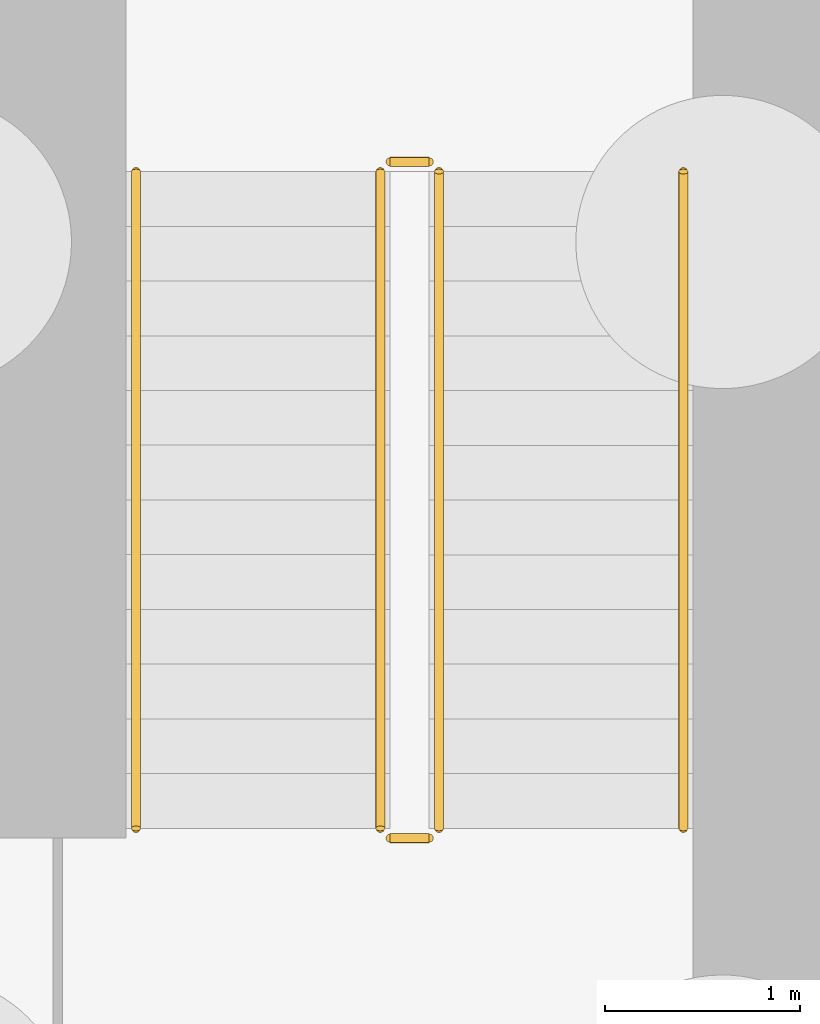
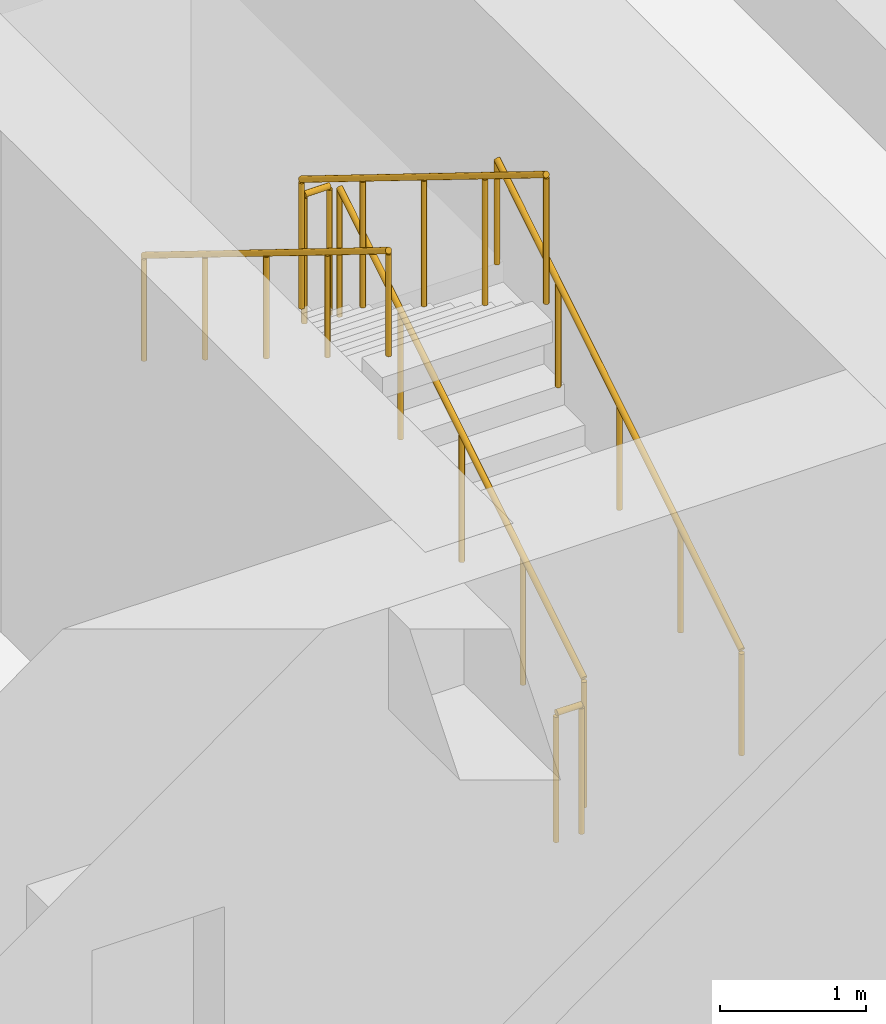
# One storey, part 9 of 10: 6 railings.
"""IFC4 building model written with IfcOpenShell, lengths in metres."""

from ifc_helpers import new_model, si_unit, direction, frame, origin, origin_2d, place, context, subcontext, project, spatial, circle, extrude, material, type_object, element, save


model = new_model("IFC4")

# Units and contexts
model_context = context("Model", 3, precision=1e-05, world=origin(), true_north=direction((0.0, 1.0)))
body_context = subcontext(model_context, "Body", "Model", "MODEL_VIEW")
ifc_project = project(units=[si_unit("LENGTHUNIT", "METRE"), si_unit("AREAUNIT", "SQUARE_METRE"), si_unit("VOLUMEUNIT", "CUBIC_METRE"), si_unit("PLANEANGLEUNIT", "RADIAN"), si_unit("MASSUNIT", "GRAM", prefix="KILO")], contexts=[model_context])

# Site, building, storey
site_placement = place(None, origin())
site = spatial("IfcSite", under=ifc_project, at=site_placement, CompositionType="ELEMENT")
building_placement = place(site_placement, origin())
building = spatial("IfcBuilding", under=site, at=building_placement, Name="Caelmar Bay Residences", CompositionType="ELEMENT")
storey_placement = place(building_placement, frame((0.0, 0.0, -9.0)))
storey = spatial("IfcBuildingStorey", under=building, at=storey_placement, Name="B02", CompositionType="ELEMENT", Elevation=-9.0)

# Railings
ifc_material_1 = material(Name="Painted galvanized steel stair guard 1100 mm", Category="steel")
railing_type_1 = type_object("IfcRailingType", Name="RL-GRD-1100", PredefinedType="GUARDRAIL", material=ifc_material_1)
railing_1_placement = place(storey_placement, frame((57.85009765625, 38.699951171875, 0.173095703125)))
element("IfcRailing", 1, at=railing_1_placement, inside=storey, type_object=railing_type_1, Name="B02 ST2 stair guard 1", PredefinedType="GUARDRAIL", context=body_context, shape_type="SweptSolid", body=[
    extrude(circle(Radius=0.02392578125, at=origin_2d()), frame((0.0, 0.0, 1.076171875), z_axis=(0.0, 0.850623216509, 0.525775754039), x_axis=(-1.0, 0.0, 0.0)), (0.0, 0.0, 1.0), 3.9501953125),
    extrude(circle(Radius=0.02099609375, at=origin_2d()), origin(), (0.0, 0.0, 1.0), 1.052001953125),
    extrude(circle(Radius=0.02099609375, at=origin_2d()), frame((0.0, 0.840087890625, 0.519287109375)), (0.0, 0.0, 1.0), 1.052001953125),
    extrude(circle(Radius=0.02099609375, at=origin_2d()), frame((0.0, 1.68017578125, 1.03857421875)), (0.0, 0.0, 1.0), 1.052001953125),
    extrude(circle(Radius=0.02099609375, at=origin_2d()), frame((0.0, 2.52001953125, 1.5576171875)), (0.0, 0.0, 1.0), 1.052001953125),
    extrude(circle(Radius=0.02099609375, at=origin_2d()), frame((0.0, 3.360107421875, 2.076904296875)), (0.0, 0.0, 1.0), 1.052001953125),
])
railing_2_placement = place(storey_placement, frame((57.800048828125, 42.110107421875, 2.25)))
element("IfcRailing", 2, at=railing_2_placement, inside=storey, type_object=railing_type_1, Name="B02 ST2 stair guard 2", PredefinedType="GUARDRAIL", context=body_context, shape_type="SweptSolid", body=[
    extrude(circle(Radius=0.02392578125, at=origin_2d()), frame((0.0, 0.0, 1.076171875), z_axis=(-1.0, 0.0, 0.0), x_axis=(0.0, -1.0, 0.0)), (0.0, 0.0, 1.0), 0.199951171875),
    extrude(circle(Radius=0.02099609375, at=origin_2d()), origin(), (0.0, 0.0, 1.0), 1.052001953125),
    extrude(circle(Radius=0.02099609375, at=origin_2d()), frame((-0.199951171875, 0.0, 0.0)), (0.0, 0.0, 1.0), 1.052001953125),
])
railing_3_placement = place(storey_placement, frame((57.550048828125, 42.06005859375, 2.423095703125)))
element("IfcRailing", 3, at=railing_3_placement, inside=storey, type_object=railing_type_1, Name="B02 ST2 stair guard 3", PredefinedType="GUARDRAIL", context=body_context, shape_type="SweptSolid", body=[
    extrude(circle(Radius=0.02392578125, at=origin_2d()), frame((0.0, 0.0, 1.076171875), z_axis=(0.0, -0.850623216509, 0.525775754039), x_axis=(1.0, 0.0, 0.0)), (0.0, 0.0, 1.0), 3.9501953125),
    extrude(circle(Radius=0.02099609375, at=origin_2d()), origin(), (0.0, 0.0, 1.0), 1.052001953125),
    extrude(circle(Radius=0.02099609375, at=origin_2d()), frame((0.0, -0.840087890625, 0.519287109375)), (0.0, 0.0, 1.0), 1.052001953125),
    extrude(circle(Radius=0.02099609375, at=origin_2d()), frame((0.0, -1.68017578125, 1.03857421875)), (0.0, 0.0, 1.0), 1.052001953125),
    extrude(circle(Radius=0.02099609375, at=origin_2d()), frame((0.0, -2.52001953125, 1.5576171875)), (0.0, 0.0, 1.0), 1.052001953125),
    extrude(circle(Radius=0.02099609375, at=origin_2d()), frame((0.0, -3.360107421875, 2.076904296875)), (0.0, 0.0, 1.0), 1.052001953125),
])
railing_4_placement = place(storey_placement, frame((57.800048828125, 38.64990234375, 0.0)))
element("IfcRailing", 4, at=railing_4_placement, inside=storey, type_object=railing_type_1, Name="B02 ST2 stair guard 4", PredefinedType="GUARDRAIL", context=body_context, shape_type="SweptSolid", body=[
    extrude(circle(Radius=0.02392578125, at=origin_2d()), frame((0.0, 0.0, 1.076171875), z_axis=(-1.0, 0.0, 0.0), x_axis=(0.0, -1.0, 0.0)), (0.0, 0.0, 1.0), 0.199951171875),
    extrude(circle(Radius=0.02099609375, at=origin_2d()), origin(), (0.0, 0.0, 1.0), 1.052001953125),
    extrude(circle(Radius=0.02099609375, at=origin_2d()), frame((-0.199951171875, 0.0, 0.0)), (0.0, 0.0, 1.0), 1.052001953125),
])
ifc_material_2 = material(Name="Brushed bronze stainless-steel tubular handrail 900 mm", Category="steel")
railing_type_2 = type_object("IfcRailingType", Name="RL-HND-900", PredefinedType="HANDRAIL", material=ifc_material_2)
railing_5_placement = place(storey_placement, frame((59.10009765625, 38.699951171875, 0.173095703125)))
element("IfcRailing", 5, at=railing_5_placement, inside=storey, type_object=railing_type_2, Name="B02 ST2 stair handrail 1", PredefinedType="HANDRAIL", context=body_context, shape_type="SweptSolid", body=[
    extrude(circle(Radius=0.02392578125, at=origin_2d()), frame((0.0, 0.0, 0.8759765625), z_axis=(0.0, 0.850623216509, 0.525775754039), x_axis=(-1.0, 0.0, 0.0)), (0.0, 0.0, 1.0), 3.9501953125),
    extrude(circle(Radius=0.02099609375, at=origin_2d()), origin(), (0.0, 0.0, 1.0), 0.851806640625),
    extrude(circle(Radius=0.02099609375, at=origin_2d()), frame((0.0, 0.840087890625, 0.519287109375)), (0.0, 0.0, 1.0), 0.851806640625),
    extrude(circle(Radius=0.02099609375, at=origin_2d()), frame((0.0, 1.68017578125, 1.03857421875)), (0.0, 0.0, 1.0), 0.851806640625),
    extrude(circle(Radius=0.02099609375, at=origin_2d()), frame((0.0, 2.52001953125, 1.5576171875)), (0.0, 0.0, 1.0), 0.851806640625),
    extrude(circle(Radius=0.02099609375, at=origin_2d()), frame((0.0, 3.360107421875, 2.076904296875)), (0.0, 0.0, 1.0), 0.851806640625),
])
railing_6_placement = place(storey_placement, frame((56.300048828125, 42.06005859375, 2.423095703125)))
element("IfcRailing", 6, at=railing_6_placement, inside=storey, type_object=railing_type_2, Name="B02 ST2 stair handrail 2", PredefinedType="HANDRAIL", context=body_context, shape_type="SweptSolid", body=[
    extrude(circle(Radius=0.02392578125, at=origin_2d()), frame((0.0, 0.0, 0.8759765625), z_axis=(0.0, -0.850623216509, 0.525775754039), x_axis=(1.0, 0.0, 0.0)), (0.0, 0.0, 1.0), 3.9501953125),
    extrude(circle(Radius=0.02099609375, at=origin_2d()), origin(), (0.0, 0.0, 1.0), 0.851806640625),
    extrude(circle(Radius=0.02099609375, at=origin_2d()), frame((0.0, -0.840087890625, 0.519287109375)), (0.0, 0.0, 1.0), 0.851806640625),
    extrude(circle(Radius=0.02099609375, at=origin_2d()), frame((0.0, -1.68017578125, 1.03857421875)), (0.0, 0.0, 1.0), 0.851806640625),
    extrude(circle(Radius=0.02099609375, at=origin_2d()), frame((0.0, -2.52001953125, 1.5576171875)), (0.0, 0.0, 1.0), 0.851806640625),
    extrude(circle(Radius=0.02099609375, at=origin_2d()), frame((0.0, -3.360107421875, 2.076904296875)), (0.0, 0.0, 1.0), 0.851806640625),
])

save(model, "model.ifc")
